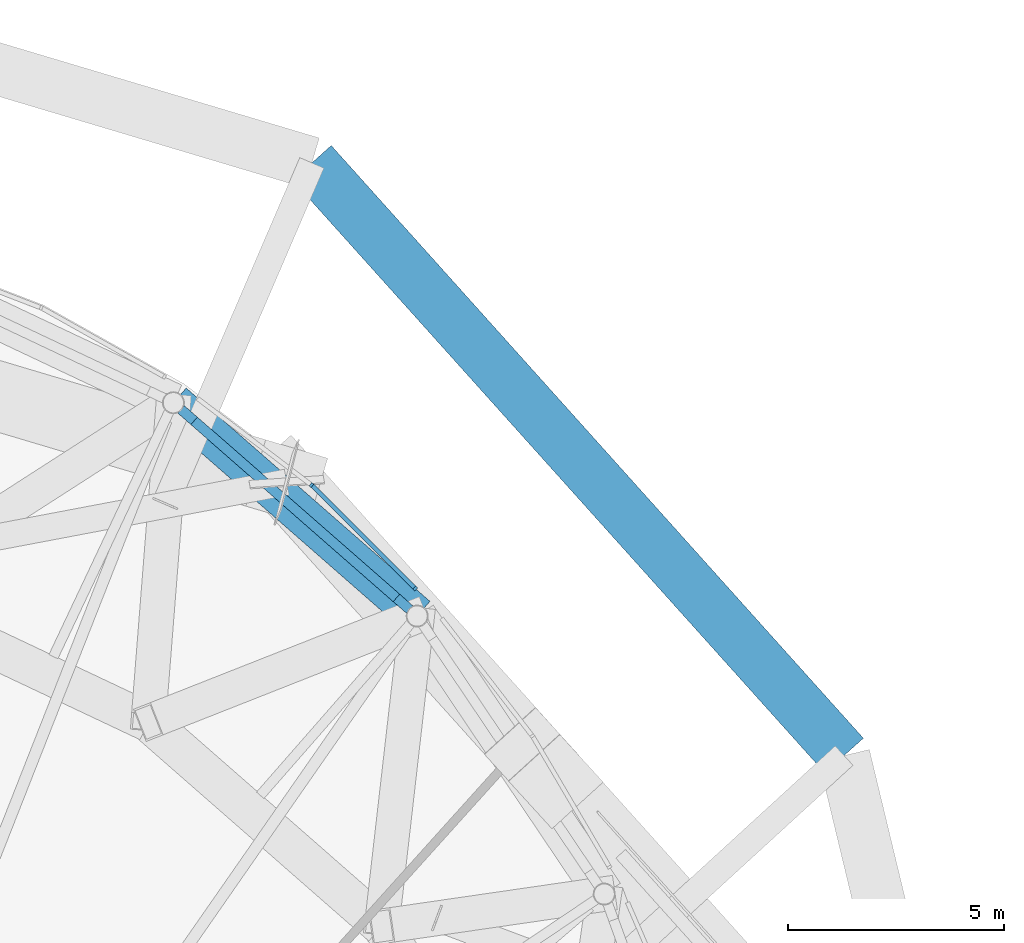
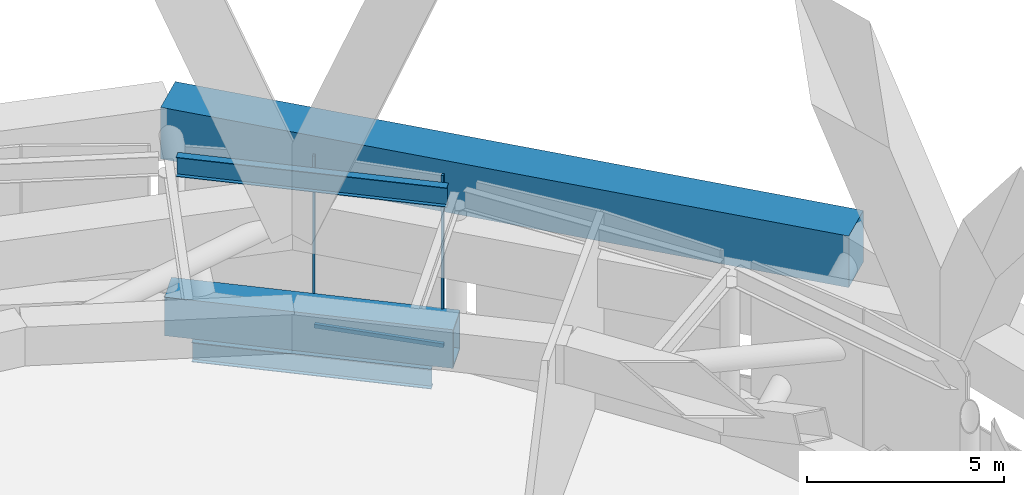
# One storey, part 50 of 65: 4 members, 3 beams, 2 elements without a shape of their own.
"""IFC4 building model written with IfcOpenShell, lengths in metres."""

from ifc_helpers import new_model, si_unit, direction, frame, origin, origin_2d, place, context, subcontext, project, spatial, rectangle, hollow_rectangle, i_section, extrude, material, layer, layer_set, material_profile, profile_set, type_object, element, aggregate, save


model = new_model("IFC4")

# Units and contexts
model_context = context("Model", 3, precision=1e-05, world=origin(), true_north=direction((0.0, 1.0)))
body_context = subcontext(model_context, "Body", "Model", "MODEL_VIEW")
ifc_project = project(units=[si_unit("LENGTHUNIT", "METRE"), si_unit("AREAUNIT", "SQUARE_METRE"), si_unit("VOLUMEUNIT", "CUBIC_METRE"), si_unit("PLANEANGLEUNIT", "RADIAN"), si_unit("MASSUNIT", "GRAM", prefix="KILO")], contexts=[model_context])

# Site, building, storey
site_placement = place(None, origin())
site = spatial("IfcSite", under=ifc_project, at=site_placement, CompositionType="ELEMENT")
building_placement = place(site_placement, origin())
building = spatial("IfcBuilding", under=site, at=building_placement, Name="Nagisa Residences", CompositionType="ELEMENT")
storey_placement = place(building_placement, frame((0.0, 0.0, 114.0)))
storey = spatial("IfcBuildingStorey", under=building, at=storey_placement, Name="L28", CompositionType="ELEMENT", Elevation=114.0)

# Beam
ifc_material_1 = material(Name="Steel ASTM A572 Gr 50", Category="steel")
ifc_material_profile_1 = material_profile(ifc_material_1, hollow_rectangle(XDim=0.89990234375, YDim=1.199951171875, WallThickness=0.050048828125, at=origin_2d()), Name="BX 900x1200x50")
ifc_profile_set_1 = profile_set([ifc_material_profile_1], Name="Steel ASTM A572 Gr 50")
beam_type_1 = type_object("IfcBeamType", Name="Belt chord 2 BX 900x1200x50", PredefinedType="BEAM", material=ifc_profile_set_1)
beam_1_placement = place(storey_placement, frame((17.4296875, 25.048583984375, 0.60009765625), z_axis=(-0.752518090627, 0.658571577947, 0.0), x_axis=(-0.658571577947, -0.752518090627, 0.0)))
element("IfcBeam", 1, at=beam_1_placement, inside=storey, type_object=beam_type_1, Name="beam:L28:bt2b04", PredefinedType="BEAM", context=body_context, shape_type="SweptSolid", body=[
    extrude(hollow_rectangle(XDim=0.89990234375, YDim=1.199951171875, WallThickness=0.050048828125, at=origin_2d()), origin(), (0.0, 0.0, 1.0), 7.484375),
])

# Curtain wall, member
ifc_material_2 = material(Name="Aluminium curtain wall system", Category="aluminium")
ifc_layer = layer(ifc_material_2, 0.159912109375)
ifc_layer_set = layer_set([ifc_layer], Name="CW5 CURTAIN WALL")
curtain_wall_type = type_object("IfcCurtainWallType", Name="CW5 CURTAIN WALL", PredefinedType="NOTDEFINED", material=ifc_layer_set)
curtain_wall_1_placement = place(storey_placement, origin())
curtain_wall_1 = element("IfcCurtainWall", 2, at=curtain_wall_1_placement, inside=storey, type_object=curtain_wall_type, Name="cw:CW5:L28:06", PredefinedType="NOTDEFINED")
ifc_material_3 = material(Name="Aluminium", Category="aluminium")
ifc_material_profile_2 = material_profile(ifc_material_3, rectangle(XDim=0.10009765625, YDim=0.06005859375, at=origin_2d()), Name="CW5 MULLION 100x60")
ifc_profile_set_2 = profile_set([ifc_material_profile_2], Name="Aluminium")
member_type_1 = type_object("IfcMemberType", Name="CW5 MULLION 100x60", PredefinedType="MULLION", material=ifc_profile_set_2)
member_1_placement = place(storey_placement, frame((17.386962890625, 25.6845703125, 0.0), z_axis=(0.0, 0.0, 1.0), x_axis=(-0.706376885714, -0.707835924016, 0.0)))
member_1 = element("IfcMember", 3, at=member_1_placement, type_object=member_type_1, Name="CW5 mullion", PredefinedType="MULLION", context=body_context, shape_type="SweptSolid", body=[
    extrude(rectangle(XDim=0.10009765625, YDim=0.06005859375, at=origin_2d()), origin(), (0.0, 0.0, 1.0), 5.340087890625),
])

curtain_wall_2_placement = place(storey_placement, origin())
curtain_wall_2 = element("IfcCurtainWall", 4, at=curtain_wall_2_placement, inside=storey, type_object=curtain_wall_type, Name="cw:CW5:L28:07", PredefinedType="NOTDEFINED")
member_2_placement = place(storey_placement, frame((14.9873046875, 28.07470703125, 0.0), z_axis=(0.0, 0.0, 1.0), x_axis=(-0.605255421737, -0.79603132756, 0.0)))
member_2 = element("IfcMember", 5, at=member_2_placement, type_object=member_type_1, Name="CW5 mullion", PredefinedType="MULLION", context=body_context, shape_type="SweptSolid", body=[
    extrude(rectangle(XDim=0.10009765625, YDim=0.06005859375, at=origin_2d()), origin(), (0.0, 0.0, 1.0), 5.340087890625),
])
aggregate(curtain_wall_2, [member_2])

# Member
ifc_material_4 = material(Name="Aluminium", Category="aluminium")
ifc_material_profile_3 = material_profile(ifc_material_4, rectangle(XDim=0.10009765625, YDim=0.1201171875, at=origin_2d()), Name="CW5 TRANSOM 100x120")
ifc_profile_set_3 = profile_set([ifc_material_profile_3], Name="Aluminium")
member_type_2 = type_object("IfcMemberType", Name="CW5 TRANSOM 100x120", PredefinedType="USERDEFINED", material=ifc_profile_set_3)
member_3_placement = place(storey_placement, frame((17.408203125, 25.663330078125, 0.06005859375), z_axis=(-0.707824947176, 0.706387885057, 0.0), x_axis=(-0.706387885057, -0.707824947176, 0.0)))
member_3 = element("IfcMember", 6, at=member_3_placement, type_object=member_type_2, Name="CW5 transom", ObjectType="TRANSOM", PredefinedType="USERDEFINED", context=body_context, shape_type="SweptSolid", body=[
    extrude(rectangle(XDim=0.10009765625, YDim=0.1201171875, at=origin_2d()), origin(), (0.0, 0.0, 1.0), 3.397705078125),
])

aggregate(curtain_wall_1, [member_1, member_3])

ifc_material_5 = material(Name="Concrete C80", Category="concrete")
ifc_material_profile_4 = material_profile(ifc_material_5, rectangle(XDim=1.199951171875, YDim=1.60009765625, at=origin_2d()), Name="C80 1200x1600")
ifc_profile_set_4 = profile_set([ifc_material_profile_4], Name="Concrete C80")
member_type_3 = type_object("IfcMemberType", Name="Cage ring 2 C80 1200x1600", PredefinedType="CHORD", material=ifc_profile_set_4)
member_4_placement = place(storey_placement, frame((27.294189453125, 21.8251953125, 1.89990234375), z_axis=(-0.668102443775, 0.744069300954, 0.0), x_axis=(-0.744069300954, -0.668102443775, 0.0)))
element("IfcMember", 7, at=member_4_placement, inside=storey, type_object=member_type_3, Name="beam:L28:cg2r102", PredefinedType="CHORD", context=body_context, shape_type="SweptSolid", body=[
    extrude(rectangle(XDim=1.199951171875, YDim=1.60009765625, at=origin_2d()), origin(), (0.0, 0.0, 1.0), 18.4052734375),
])

# Beams
ifc_material_6 = material(Name="Steel ASTM A572 Gr 50", Category="steel")
ifc_material_profile_5 = material_profile(ifc_material_6, i_section(OverallWidth=0.22802734375, OverallDepth=0.60302734375, WebThickness=0.010498046875, FlangeThickness=0.014892578125, at=origin_2d()), Name="W610x101")
ifc_profile_set_5 = profile_set([ifc_material_profile_5], Name="Steel ASTM A572 Gr 50")
beam_type_2 = type_object("IfcBeamType", Name="Garden edge beam W610x101", PredefinedType="BEAM", material=ifc_profile_set_5)
beam_2_placement = place(storey_placement, frame((17.253662109375, 25.20263671875, 5.03857421875), z_axis=(-0.752518494277, 0.658571116715, 0.0), x_axis=(-0.658571116715, -0.752518494277, 0.0)))
element("IfcBeam", 8, at=beam_2_placement, inside=storey, type_object=beam_type_2, Name="beam:L28:bt2ge04", PredefinedType="BEAM", context=body_context, shape_type="SweptSolid", body=[
    extrude(i_section(OverallWidth=0.22802734375, OverallDepth=0.60302734375, WebThickness=0.010498046875, FlangeThickness=0.014892578125, at=origin_2d()), origin(), (0.0, 0.0, 1.0), 7.016357421875),
])
ifc_material_7 = material(Name="Steel ASTM A572 Gr 50", Category="steel")
ifc_material_profile_6 = material_profile(ifc_material_7, i_section(OverallWidth=0.22900390625, OverallDepth=0.612060546875, WebThickness=0.011962890625, FlangeThickness=0.01953125, at=origin_2d()), Name="W610x125")
ifc_profile_set_6 = profile_set([ifc_material_profile_6], Name="Steel ASTM A572 Gr 50")
beam_type_3 = type_object("IfcBeamType", Name="Perimeter ring beam W610x125", PredefinedType="BEAM", material=ifc_profile_set_6)
beam_3_placement = place(storey_placement, frame((16.951416015625, 25.46728515625, -0.656005859375), z_axis=(-0.752525569707, 0.658563031863, 0.0), x_axis=(-0.658563031863, -0.752525569707, 0.0)))
element("IfcBeam", 9, at=beam_3_placement, inside=storey, type_object=beam_type_3, Name="beam:L28:pb04", PredefinedType="BEAM", context=body_context, shape_type="SweptSolid", body=[
    extrude(i_section(OverallWidth=0.22900390625, OverallDepth=0.612060546875, WebThickness=0.011962890625, FlangeThickness=0.01953125, at=origin_2d()), origin(), (0.0, 0.0, 1.0), 6.21240234375),
])

save(model, "model.ifc")
